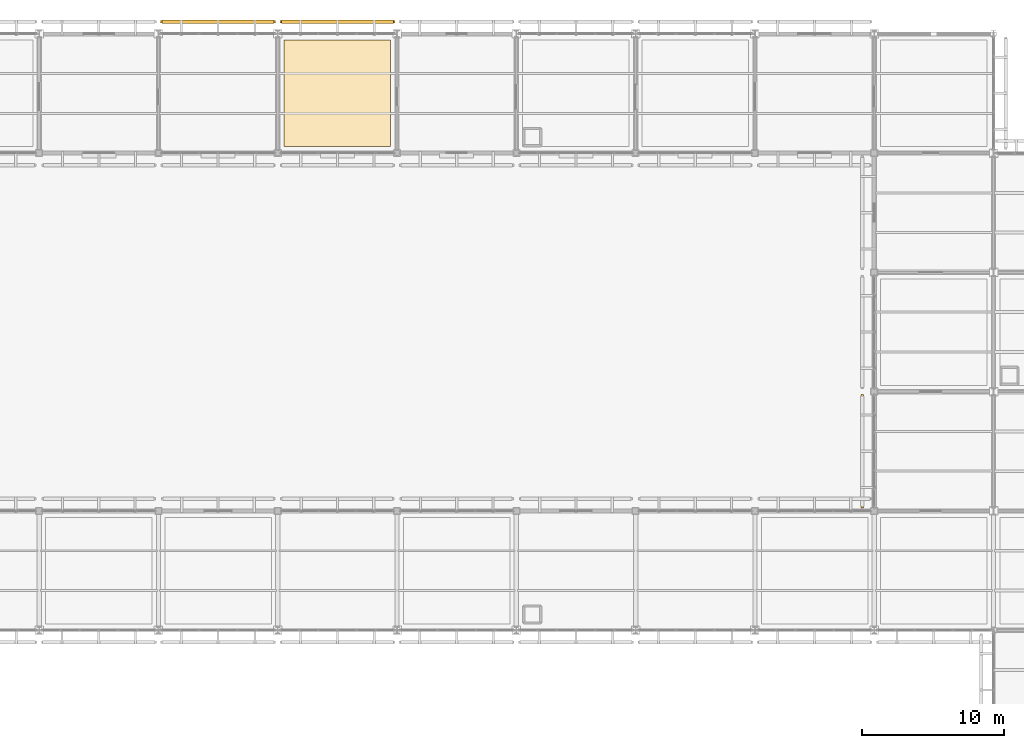
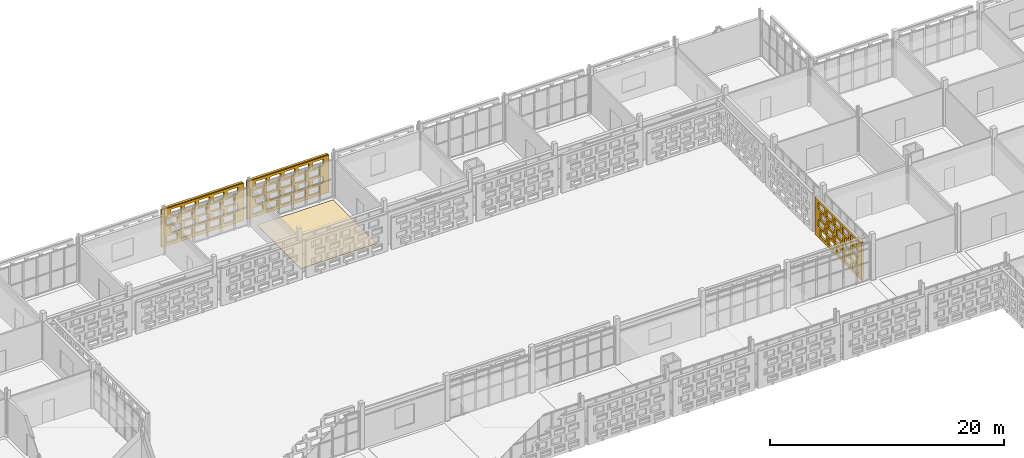
# One storey, part 177 of 203: 4 coverings, 2 shading devices, 60 openings.
"""IFC4 building model written with IfcOpenShell, lengths in metres."""

from ifc_helpers import new_model, si_unit, direction, frame, frame_2d, origin, origin_2d, place, context, subcontext, project, spatial, rectangle, extrude, material, layer, layer_set, type_object, element, save


model = new_model("IFC4")

# Units and contexts
model_context = context("Model", 3, precision=1e-05, world=origin(), true_north=direction((0.0, 1.0)))
body_context = subcontext(model_context, "Body", "Model", "MODEL_VIEW")
ifc_project = project(units=[si_unit("LENGTHUNIT", "METRE"), si_unit("AREAUNIT", "SQUARE_METRE"), si_unit("VOLUMEUNIT", "CUBIC_METRE"), si_unit("PLANEANGLEUNIT", "RADIAN"), si_unit("MASSUNIT", "GRAM", prefix="KILO")], contexts=[model_context])

# Site, building, storey
site_placement = place(None, origin())
site = spatial("IfcSite", under=ifc_project, at=site_placement, CompositionType="ELEMENT")
building_placement = place(site_placement, origin())
building = spatial("IfcBuilding", under=site, at=building_placement, Name="Varnapada Polytechnic", CompositionType="ELEMENT")
storey_placement = place(building_placement, frame((0.0, 0.0, 4.800048828125)))
storey = spatial("IfcBuildingStorey", under=building, at=storey_placement, Name="L01", CompositionType="ELEMENT", Elevation=4.800048828125)

# Covering
ifc_material_1 = material(Name="End-Grain Timber Studio Block Flooring", Category="wood")
ifc_layer_1 = layer(ifc_material_1, 0.054931640625)
ifc_layer_set_1 = layer_set([ifc_layer_1], Name="End-Grain Timber Studio Block Flooring")
covering_type_1 = type_object("IfcCoveringType", Name="Floor Finish FLR-04", PredefinedType="FLOORING", material=ifc_layer_set_1)
covering_1_placement = place(storey_placement, frame((88.199951171875, 121.800048828125, 0.0), z_axis=(0.0, 0.0, 1.0), x_axis=(1.0, 0.0, 0.0)))
element("IfcCovering", 1, at=covering_1_placement, inside=storey, type_object=covering_type_1, Name="L01 floor finish panel (11,15)", PredefinedType="FLOORING", context=body_context, shape_type="SweptSolid", body=[
    extrude(rectangle(XDim=7.5, YDim=7.5, at=origin_2d()), origin(), (0.0, 0.0, 1.0), 0.054931640625),
])

# Covering, openings
ifc_material_2 = material(Name="Earth-toned architectural terracotta screen block", Category="masonry")
ifc_layer_2 = layer(ifc_material_2, 0.1201171875)
ifc_layer_set_2 = layer_set([ifc_layer_2], Name="Earth-toned architectural terracotta screen block")
covering_type_2 = type_object("IfcCoveringType", Name="Terracotta Screen Cladding CLD-01", PredefinedType="CLADDING", material=ifc_layer_set_2)
covering_2_placement = place(storey_placement, frame((75.75, 126.85009765625, 0.0), z_axis=(0.0, 0.0, 1.0), x_axis=(1.0, 0.0, 0.0)))
covering_2 = element("IfcCovering", 2, at=covering_2_placement, inside=storey, type_object=covering_type_2, Name="L01 perforated terracotta block screen (71)", PredefinedType="CLADDING", context=body_context, shape_type="SweptSolid", body=[
    extrude(rectangle(XDim=8.10009765625, YDim=0.179931640625, at=frame_2d((4.050048828125, 0.0))), origin(), (0.0, 0.0, 1.0), 3.919921875),
])
opening_1_placement = place(covering_2_placement, frame((0.550048828125, 0.0, 0.313720703125)))
element("IfcOpeningElement", 3, at=opening_1_placement, cuts=covering_2, Name="Screen perforation TBS-L01-070.1", PredefinedType="OPENING", context=body_context, shape_type="SweptSolid", body=[
    extrude(rectangle(XDim=1.0400390625, YDim=0.679931640625, at=frame_2d((0.52001953125, 0.33984375))), frame((0.0, 0.099853515625, 0.0), z_axis=(0.0, -1.0, 0.0), x_axis=(1.0, 0.0, 0.0)), (0.0, 0.0, 1.0), 0.199951171875),
])
opening_2_placement = place(covering_2_placement, frame((1.949951171875, 0.0, 0.313720703125)))
element("IfcOpeningElement", 4, at=opening_2_placement, cuts=covering_2, Name="Screen perforation TBS-L01-070.2", PredefinedType="OPENING", context=body_context, shape_type="SweptSolid", body=[
    extrude(rectangle(XDim=1.0400390625, YDim=0.679931640625, at=frame_2d((0.52001953125, 0.33984375))), frame((0.0, 0.099853515625, 0.0), z_axis=(0.0, -1.0, 0.0), x_axis=(1.0, 0.0, 0.0)), (0.0, 0.0, 1.0), 0.199951171875),
])
opening_3_placement = place(covering_2_placement, frame((3.35009765625, 0.0, 0.313720703125)))
element("IfcOpeningElement", 5, at=opening_3_placement, cuts=covering_2, Name="Screen perforation TBS-L01-070.3", PredefinedType="OPENING", context=body_context, shape_type="SweptSolid", body=[
    extrude(rectangle(XDim=1.0400390625, YDim=0.679931640625, at=frame_2d((0.52001953125, 0.33984375))), frame((0.0, 0.099853515625, 0.0), z_axis=(0.0, -1.0, 0.0), x_axis=(1.0, 0.0, 0.0)), (0.0, 0.0, 1.0), 0.199951171875),
])
opening_4_placement = place(covering_2_placement, frame((4.75, 0.0, 0.313720703125)))
element("IfcOpeningElement", 6, at=opening_4_placement, cuts=covering_2, Name="Screen perforation TBS-L01-070.4", PredefinedType="OPENING", context=body_context, shape_type="SweptSolid", body=[
    extrude(rectangle(XDim=1.0400390625, YDim=0.679931640625, at=frame_2d((0.52001953125, 0.33984375))), frame((0.0, 0.099853515625, 0.0), z_axis=(0.0, -1.0, 0.0), x_axis=(1.0, 0.0, 0.0)), (0.0, 0.0, 1.0), 0.199951171875),
])
opening_5_placement = place(covering_2_placement, frame((6.14990234375, 0.0, 0.313720703125)))
element("IfcOpeningElement", 7, at=opening_5_placement, cuts=covering_2, Name="Screen perforation TBS-L01-070.5", PredefinedType="OPENING", context=body_context, shape_type="SweptSolid", body=[
    extrude(rectangle(XDim=1.0400390625, YDim=0.679931640625, at=frame_2d((0.52001953125, 0.33984375))), frame((0.0, 0.099853515625, 0.0), z_axis=(0.0, -1.0, 0.0), x_axis=(1.0, 0.0, 0.0)), (0.0, 0.0, 1.0), 0.199951171875),
])
opening_6_placement = place(covering_2_placement, frame((0.909912109375, 0.0, 1.195556640625)))
element("IfcOpeningElement", 8, at=opening_6_placement, cuts=covering_2, Name="Screen perforation TBS-L01-070.6", PredefinedType="OPENING", context=body_context, shape_type="SweptSolid", body=[
    extrude(rectangle(XDim=1.0400390625, YDim=0.679931640625, at=frame_2d((0.52001953125, 0.33984375))), frame((0.0, 0.099853515625, 0.0), z_axis=(0.0, -1.0, 0.0), x_axis=(1.0, 0.0, 0.0)), (0.0, 0.0, 1.0), 0.199951171875),
])
opening_7_placement = place(covering_2_placement, frame((2.31005859375, 0.0, 1.195556640625)))
element("IfcOpeningElement", 9, at=opening_7_placement, cuts=covering_2, Name="Screen perforation TBS-L01-070.7", PredefinedType="OPENING", context=body_context, shape_type="SweptSolid", body=[
    extrude(rectangle(XDim=1.0400390625, YDim=0.679931640625, at=frame_2d((0.52001953125, 0.33984375))), frame((0.0, 0.099853515625, 0.0), z_axis=(0.0, -1.0, 0.0), x_axis=(1.0, 0.0, 0.0)), (0.0, 0.0, 1.0), 0.199951171875),
])
opening_8_placement = place(covering_2_placement, frame((3.7099609375, 0.0, 1.195556640625)))
element("IfcOpeningElement", 10, at=opening_8_placement, cuts=covering_2, Name="Screen perforation TBS-L01-070.8", PredefinedType="OPENING", context=body_context, shape_type="SweptSolid", body=[
    extrude(rectangle(XDim=1.0400390625, YDim=0.679931640625, at=frame_2d((0.52001953125, 0.33984375))), frame((0.0, 0.099853515625, 0.0), z_axis=(0.0, -1.0, 0.0), x_axis=(1.0, 0.0, 0.0)), (0.0, 0.0, 1.0), 0.199951171875),
])
opening_9_placement = place(covering_2_placement, frame((5.110107421875, 0.0, 1.195556640625)))
element("IfcOpeningElement", 11, at=opening_9_placement, cuts=covering_2, Name="Screen perforation TBS-L01-070.9", PredefinedType="OPENING", context=body_context, shape_type="SweptSolid", body=[
    extrude(rectangle(XDim=1.0400390625, YDim=0.679931640625, at=frame_2d((0.52001953125, 0.33984375))), frame((0.0, 0.099853515625, 0.0), z_axis=(0.0, -1.0, 0.0), x_axis=(1.0, 0.0, 0.0)), (0.0, 0.0, 1.0), 0.199951171875),
])
opening_10_placement = place(covering_2_placement, frame((6.510009765625, 0.0, 1.195556640625)))
element("IfcOpeningElement", 12, at=opening_10_placement, cuts=covering_2, Name="Screen perforation TBS-L01-070.10", PredefinedType="OPENING", context=body_context, shape_type="SweptSolid", body=[
    extrude(rectangle(XDim=1.0400390625, YDim=0.679931640625, at=frame_2d((0.52001953125, 0.33984375))), frame((0.0, 0.099853515625, 0.0), z_axis=(0.0, -1.0, 0.0), x_axis=(1.0, 0.0, 0.0)), (0.0, 0.0, 1.0), 0.199951171875),
])
opening_11_placement = place(covering_2_placement, frame((0.550048828125, 0.0, 2.07763671875)))
element("IfcOpeningElement", 13, at=opening_11_placement, cuts=covering_2, Name="Screen perforation TBS-L01-070.11", PredefinedType="OPENING", context=body_context, shape_type="SweptSolid", body=[
    extrude(rectangle(XDim=1.0400390625, YDim=0.679931640625, at=frame_2d((0.52001953125, 0.33984375))), frame((0.0, 0.099853515625, 0.0), z_axis=(0.0, -1.0, 0.0), x_axis=(1.0, 0.0, 0.0)), (0.0, 0.0, 1.0), 0.199951171875),
])
opening_12_placement = place(covering_2_placement, frame((1.949951171875, 0.0, 2.07763671875)))
element("IfcOpeningElement", 14, at=opening_12_placement, cuts=covering_2, Name="Screen perforation TBS-L01-070.12", PredefinedType="OPENING", context=body_context, shape_type="SweptSolid", body=[
    extrude(rectangle(XDim=1.0400390625, YDim=0.679931640625, at=frame_2d((0.52001953125, 0.33984375))), frame((0.0, 0.099853515625, 0.0), z_axis=(0.0, -1.0, 0.0), x_axis=(1.0, 0.0, 0.0)), (0.0, 0.0, 1.0), 0.199951171875),
])
opening_13_placement = place(covering_2_placement, frame((3.35009765625, 0.0, 2.07763671875)))
element("IfcOpeningElement", 15, at=opening_13_placement, cuts=covering_2, Name="Screen perforation TBS-L01-070.13", PredefinedType="OPENING", context=body_context, shape_type="SweptSolid", body=[
    extrude(rectangle(XDim=1.0400390625, YDim=0.679931640625, at=frame_2d((0.52001953125, 0.33984375))), frame((0.0, 0.099853515625, 0.0), z_axis=(0.0, -1.0, 0.0), x_axis=(1.0, 0.0, 0.0)), (0.0, 0.0, 1.0), 0.199951171875),
])
opening_14_placement = place(covering_2_placement, frame((4.75, 0.0, 2.07763671875)))
element("IfcOpeningElement", 16, at=opening_14_placement, cuts=covering_2, Name="Screen perforation TBS-L01-070.14", PredefinedType="OPENING", context=body_context, shape_type="SweptSolid", body=[
    extrude(rectangle(XDim=1.0400390625, YDim=0.679931640625, at=frame_2d((0.52001953125, 0.33984375))), frame((0.0, 0.099853515625, 0.0), z_axis=(0.0, -1.0, 0.0), x_axis=(1.0, 0.0, 0.0)), (0.0, 0.0, 1.0), 0.199951171875),
])
opening_15_placement = place(covering_2_placement, frame((6.14990234375, 0.0, 2.07763671875)))
element("IfcOpeningElement", 17, at=opening_15_placement, cuts=covering_2, Name="Screen perforation TBS-L01-070.15", PredefinedType="OPENING", context=body_context, shape_type="SweptSolid", body=[
    extrude(rectangle(XDim=1.0400390625, YDim=0.679931640625, at=frame_2d((0.52001953125, 0.33984375))), frame((0.0, 0.099853515625, 0.0), z_axis=(0.0, -1.0, 0.0), x_axis=(1.0, 0.0, 0.0)), (0.0, 0.0, 1.0), 0.199951171875),
])
opening_16_placement = place(covering_2_placement, frame((0.909912109375, 0.0, 2.959716796875)))
element("IfcOpeningElement", 18, at=opening_16_placement, cuts=covering_2, Name="Screen perforation TBS-L01-070.16", PredefinedType="OPENING", context=body_context, shape_type="SweptSolid", body=[
    extrude(rectangle(XDim=1.0400390625, YDim=0.679931640625, at=frame_2d((0.52001953125, 0.33984375))), frame((0.0, 0.099853515625, 0.0), z_axis=(0.0, -1.0, 0.0), x_axis=(1.0, 0.0, 0.0)), (0.0, 0.0, 1.0), 0.199951171875),
])
opening_17_placement = place(covering_2_placement, frame((2.31005859375, 0.0, 2.959716796875)))
element("IfcOpeningElement", 19, at=opening_17_placement, cuts=covering_2, Name="Screen perforation TBS-L01-070.17", PredefinedType="OPENING", context=body_context, shape_type="SweptSolid", body=[
    extrude(rectangle(XDim=1.0400390625, YDim=0.679931640625, at=frame_2d((0.52001953125, 0.33984375))), frame((0.0, 0.099853515625, 0.0), z_axis=(0.0, -1.0, 0.0), x_axis=(1.0, 0.0, 0.0)), (0.0, 0.0, 1.0), 0.199951171875),
])
opening_18_placement = place(covering_2_placement, frame((3.7099609375, 0.0, 2.959716796875)))
element("IfcOpeningElement", 20, at=opening_18_placement, cuts=covering_2, Name="Screen perforation TBS-L01-070.18", PredefinedType="OPENING", context=body_context, shape_type="SweptSolid", body=[
    extrude(rectangle(XDim=1.0400390625, YDim=0.679931640625, at=frame_2d((0.52001953125, 0.33984375))), frame((0.0, 0.099853515625, 0.0), z_axis=(0.0, -1.0, 0.0), x_axis=(1.0, 0.0, 0.0)), (0.0, 0.0, 1.0), 0.199951171875),
])
opening_19_placement = place(covering_2_placement, frame((5.110107421875, 0.0, 2.959716796875)))
element("IfcOpeningElement", 21, at=opening_19_placement, cuts=covering_2, Name="Screen perforation TBS-L01-070.19", PredefinedType="OPENING", context=body_context, shape_type="SweptSolid", body=[
    extrude(rectangle(XDim=1.0400390625, YDim=0.679931640625, at=frame_2d((0.52001953125, 0.33984375))), frame((0.0, 0.099853515625, 0.0), z_axis=(0.0, -1.0, 0.0), x_axis=(1.0, 0.0, 0.0)), (0.0, 0.0, 1.0), 0.199951171875),
])
opening_20_placement = place(covering_2_placement, frame((6.510009765625, 0.0, 2.959716796875)))
element("IfcOpeningElement", 22, at=opening_20_placement, cuts=covering_2, Name="Screen perforation TBS-L01-070.20", PredefinedType="OPENING", context=body_context, shape_type="SweptSolid", body=[
    extrude(rectangle(XDim=1.0400390625, YDim=0.679931640625, at=frame_2d((0.52001953125, 0.33984375))), frame((0.0, 0.099853515625, 0.0), z_axis=(0.0, -1.0, 0.0), x_axis=(1.0, 0.0, 0.0)), (0.0, 0.0, 1.0), 0.199951171875),
])

covering_3_placement = place(storey_placement, frame((84.14990234375, 126.85009765625, 0.0), z_axis=(0.0, 0.0, 1.0), x_axis=(1.0, 0.0, 0.0)))
covering_3 = element("IfcCovering", 23, at=covering_3_placement, inside=storey, type_object=covering_type_2, Name="L01 perforated terracotta block screen (77)", PredefinedType="CLADDING", context=body_context, shape_type="SweptSolid", body=[
    extrude(rectangle(XDim=8.10009765625, YDim=0.179931640625, at=frame_2d((4.050048828125, 0.0))), origin(), (0.0, 0.0, 1.0), 3.919921875),
])
opening_21_placement = place(covering_3_placement, frame((0.550048828125, 0.0, 0.313720703125)))
element("IfcOpeningElement", 24, at=opening_21_placement, cuts=covering_3, Name="Screen perforation TBS-L01-076.1", PredefinedType="OPENING", context=body_context, shape_type="SweptSolid", body=[
    extrude(rectangle(XDim=1.0400390625, YDim=0.679931640625, at=frame_2d((0.52001953125, 0.33984375))), frame((0.0, 0.099853515625, 0.0), z_axis=(0.0, -1.0, 0.0), x_axis=(1.0, 0.0, 0.0)), (0.0, 0.0, 1.0), 0.199951171875),
])
opening_22_placement = place(covering_3_placement, frame((1.949951171875, 0.0, 0.313720703125)))
element("IfcOpeningElement", 25, at=opening_22_placement, cuts=covering_3, Name="Screen perforation TBS-L01-076.2", PredefinedType="OPENING", context=body_context, shape_type="SweptSolid", body=[
    extrude(rectangle(XDim=1.0400390625, YDim=0.679931640625, at=frame_2d((0.52001953125, 0.33984375))), frame((0.0, 0.099853515625, 0.0), z_axis=(0.0, -1.0, 0.0), x_axis=(1.0, 0.0, 0.0)), (0.0, 0.0, 1.0), 0.199951171875),
])
opening_23_placement = place(covering_3_placement, frame((3.35009765625, 0.0, 0.313720703125)))
element("IfcOpeningElement", 26, at=opening_23_placement, cuts=covering_3, Name="Screen perforation TBS-L01-076.3", PredefinedType="OPENING", context=body_context, shape_type="SweptSolid", body=[
    extrude(rectangle(XDim=1.0400390625, YDim=0.679931640625, at=frame_2d((0.52001953125, 0.33984375))), frame((0.0, 0.099853515625, 0.0), z_axis=(0.0, -1.0, 0.0), x_axis=(1.0, 0.0, 0.0)), (0.0, 0.0, 1.0), 0.199951171875),
])
opening_24_placement = place(covering_3_placement, frame((4.75, 0.0, 0.313720703125)))
element("IfcOpeningElement", 27, at=opening_24_placement, cuts=covering_3, Name="Screen perforation TBS-L01-076.4", PredefinedType="OPENING", context=body_context, shape_type="SweptSolid", body=[
    extrude(rectangle(XDim=1.0400390625, YDim=0.679931640625, at=frame_2d((0.52001953125, 0.33984375))), frame((0.0, 0.099853515625, 0.0), z_axis=(0.0, -1.0, 0.0), x_axis=(1.0, 0.0, 0.0)), (0.0, 0.0, 1.0), 0.199951171875),
])
opening_25_placement = place(covering_3_placement, frame((6.14990234375, 0.0, 0.313720703125)))
element("IfcOpeningElement", 28, at=opening_25_placement, cuts=covering_3, Name="Screen perforation TBS-L01-076.5", PredefinedType="OPENING", context=body_context, shape_type="SweptSolid", body=[
    extrude(rectangle(XDim=1.0400390625, YDim=0.679931640625, at=frame_2d((0.52001953125, 0.33984375))), frame((0.0, 0.099853515625, 0.0), z_axis=(0.0, -1.0, 0.0), x_axis=(1.0, 0.0, 0.0)), (0.0, 0.0, 1.0), 0.199951171875),
])
opening_26_placement = place(covering_3_placement, frame((0.909912109375, 0.0, 1.195556640625)))
element("IfcOpeningElement", 29, at=opening_26_placement, cuts=covering_3, Name="Screen perforation TBS-L01-076.6", PredefinedType="OPENING", context=body_context, shape_type="SweptSolid", body=[
    extrude(rectangle(XDim=1.0400390625, YDim=0.679931640625, at=frame_2d((0.52001953125, 0.33984375))), frame((0.0, 0.099853515625, 0.0), z_axis=(0.0, -1.0, 0.0), x_axis=(1.0, 0.0, 0.0)), (0.0, 0.0, 1.0), 0.199951171875),
])
opening_27_placement = place(covering_3_placement, frame((2.31005859375, 0.0, 1.195556640625)))
element("IfcOpeningElement", 30, at=opening_27_placement, cuts=covering_3, Name="Screen perforation TBS-L01-076.7", PredefinedType="OPENING", context=body_context, shape_type="SweptSolid", body=[
    extrude(rectangle(XDim=1.0400390625, YDim=0.679931640625, at=frame_2d((0.52001953125, 0.33984375))), frame((0.0, 0.099853515625, 0.0), z_axis=(0.0, -1.0, 0.0), x_axis=(1.0, 0.0, 0.0)), (0.0, 0.0, 1.0), 0.199951171875),
])
opening_28_placement = place(covering_3_placement, frame((3.7099609375, 0.0, 1.195556640625)))
element("IfcOpeningElement", 31, at=opening_28_placement, cuts=covering_3, Name="Screen perforation TBS-L01-076.8", PredefinedType="OPENING", context=body_context, shape_type="SweptSolid", body=[
    extrude(rectangle(XDim=1.0400390625, YDim=0.679931640625, at=frame_2d((0.52001953125, 0.33984375))), frame((0.0, 0.099853515625, 0.0), z_axis=(0.0, -1.0, 0.0), x_axis=(1.0, 0.0, 0.0)), (0.0, 0.0, 1.0), 0.199951171875),
])
opening_29_placement = place(covering_3_placement, frame((5.110107421875, 0.0, 1.195556640625)))
element("IfcOpeningElement", 32, at=opening_29_placement, cuts=covering_3, Name="Screen perforation TBS-L01-076.9", PredefinedType="OPENING", context=body_context, shape_type="SweptSolid", body=[
    extrude(rectangle(XDim=1.0400390625, YDim=0.679931640625, at=frame_2d((0.52001953125, 0.33984375))), frame((0.0, 0.099853515625, 0.0), z_axis=(0.0, -1.0, 0.0), x_axis=(1.0, 0.0, 0.0)), (0.0, 0.0, 1.0), 0.199951171875),
])
opening_30_placement = place(covering_3_placement, frame((6.510009765625, 0.0, 1.195556640625)))
element("IfcOpeningElement", 33, at=opening_30_placement, cuts=covering_3, Name="Screen perforation TBS-L01-076.10", PredefinedType="OPENING", context=body_context, shape_type="SweptSolid", body=[
    extrude(rectangle(XDim=1.0400390625, YDim=0.679931640625, at=frame_2d((0.52001953125, 0.33984375))), frame((0.0, 0.099853515625, 0.0), z_axis=(0.0, -1.0, 0.0), x_axis=(1.0, 0.0, 0.0)), (0.0, 0.0, 1.0), 0.199951171875),
])
opening_31_placement = place(covering_3_placement, frame((0.550048828125, 0.0, 2.07763671875)))
element("IfcOpeningElement", 34, at=opening_31_placement, cuts=covering_3, Name="Screen perforation TBS-L01-076.11", PredefinedType="OPENING", context=body_context, shape_type="SweptSolid", body=[
    extrude(rectangle(XDim=1.0400390625, YDim=0.679931640625, at=frame_2d((0.52001953125, 0.33984375))), frame((0.0, 0.099853515625, 0.0), z_axis=(0.0, -1.0, 0.0), x_axis=(1.0, 0.0, 0.0)), (0.0, 0.0, 1.0), 0.199951171875),
])
opening_32_placement = place(covering_3_placement, frame((1.949951171875, 0.0, 2.07763671875)))
element("IfcOpeningElement", 35, at=opening_32_placement, cuts=covering_3, Name="Screen perforation TBS-L01-076.12", PredefinedType="OPENING", context=body_context, shape_type="SweptSolid", body=[
    extrude(rectangle(XDim=1.0400390625, YDim=0.679931640625, at=frame_2d((0.52001953125, 0.33984375))), frame((0.0, 0.099853515625, 0.0), z_axis=(0.0, -1.0, 0.0), x_axis=(1.0, 0.0, 0.0)), (0.0, 0.0, 1.0), 0.199951171875),
])
opening_33_placement = place(covering_3_placement, frame((3.35009765625, 0.0, 2.07763671875)))
element("IfcOpeningElement", 36, at=opening_33_placement, cuts=covering_3, Name="Screen perforation TBS-L01-076.13", PredefinedType="OPENING", context=body_context, shape_type="SweptSolid", body=[
    extrude(rectangle(XDim=1.0400390625, YDim=0.679931640625, at=frame_2d((0.52001953125, 0.33984375))), frame((0.0, 0.099853515625, 0.0), z_axis=(0.0, -1.0, 0.0), x_axis=(1.0, 0.0, 0.0)), (0.0, 0.0, 1.0), 0.199951171875),
])
opening_34_placement = place(covering_3_placement, frame((4.75, 0.0, 2.07763671875)))
element("IfcOpeningElement", 37, at=opening_34_placement, cuts=covering_3, Name="Screen perforation TBS-L01-076.14", PredefinedType="OPENING", context=body_context, shape_type="SweptSolid", body=[
    extrude(rectangle(XDim=1.0400390625, YDim=0.679931640625, at=frame_2d((0.52001953125, 0.33984375))), frame((0.0, 0.099853515625, 0.0), z_axis=(0.0, -1.0, 0.0), x_axis=(1.0, 0.0, 0.0)), (0.0, 0.0, 1.0), 0.199951171875),
])
opening_35_placement = place(covering_3_placement, frame((6.14990234375, 0.0, 2.07763671875)))
element("IfcOpeningElement", 38, at=opening_35_placement, cuts=covering_3, Name="Screen perforation TBS-L01-076.15", PredefinedType="OPENING", context=body_context, shape_type="SweptSolid", body=[
    extrude(rectangle(XDim=1.0400390625, YDim=0.679931640625, at=frame_2d((0.52001953125, 0.33984375))), frame((0.0, 0.099853515625, 0.0), z_axis=(0.0, -1.0, 0.0), x_axis=(1.0, 0.0, 0.0)), (0.0, 0.0, 1.0), 0.199951171875),
])
opening_36_placement = place(covering_3_placement, frame((0.909912109375, 0.0, 2.959716796875)))
element("IfcOpeningElement", 39, at=opening_36_placement, cuts=covering_3, Name="Screen perforation TBS-L01-076.16", PredefinedType="OPENING", context=body_context, shape_type="SweptSolid", body=[
    extrude(rectangle(XDim=1.0400390625, YDim=0.679931640625, at=frame_2d((0.52001953125, 0.33984375))), frame((0.0, 0.099853515625, 0.0), z_axis=(0.0, -1.0, 0.0), x_axis=(1.0, 0.0, 0.0)), (0.0, 0.0, 1.0), 0.199951171875),
])
opening_37_placement = place(covering_3_placement, frame((2.31005859375, 0.0, 2.959716796875)))
element("IfcOpeningElement", 40, at=opening_37_placement, cuts=covering_3, Name="Screen perforation TBS-L01-076.17", PredefinedType="OPENING", context=body_context, shape_type="SweptSolid", body=[
    extrude(rectangle(XDim=1.0400390625, YDim=0.679931640625, at=frame_2d((0.52001953125, 0.33984375))), frame((0.0, 0.099853515625, 0.0), z_axis=(0.0, -1.0, 0.0), x_axis=(1.0, 0.0, 0.0)), (0.0, 0.0, 1.0), 0.199951171875),
])
opening_38_placement = place(covering_3_placement, frame((3.7099609375, 0.0, 2.959716796875)))
element("IfcOpeningElement", 41, at=opening_38_placement, cuts=covering_3, Name="Screen perforation TBS-L01-076.18", PredefinedType="OPENING", context=body_context, shape_type="SweptSolid", body=[
    extrude(rectangle(XDim=1.0400390625, YDim=0.679931640625, at=frame_2d((0.52001953125, 0.33984375))), frame((0.0, 0.099853515625, 0.0), z_axis=(0.0, -1.0, 0.0), x_axis=(1.0, 0.0, 0.0)), (0.0, 0.0, 1.0), 0.199951171875),
])
opening_39_placement = place(covering_3_placement, frame((5.110107421875, 0.0, 2.959716796875)))
element("IfcOpeningElement", 42, at=opening_39_placement, cuts=covering_3, Name="Screen perforation TBS-L01-076.19", PredefinedType="OPENING", context=body_context, shape_type="SweptSolid", body=[
    extrude(rectangle(XDim=1.0400390625, YDim=0.679931640625, at=frame_2d((0.52001953125, 0.33984375))), frame((0.0, 0.099853515625, 0.0), z_axis=(0.0, -1.0, 0.0), x_axis=(1.0, 0.0, 0.0)), (0.0, 0.0, 1.0), 0.199951171875),
])
opening_40_placement = place(covering_3_placement, frame((6.510009765625, 0.0, 2.959716796875)))
element("IfcOpeningElement", 43, at=opening_40_placement, cuts=covering_3, Name="Screen perforation TBS-L01-076.20", PredefinedType="OPENING", context=body_context, shape_type="SweptSolid", body=[
    extrude(rectangle(XDim=1.0400390625, YDim=0.679931640625, at=frame_2d((0.52001953125, 0.33984375))), frame((0.0, 0.099853515625, 0.0), z_axis=(0.0, -1.0, 0.0), x_axis=(1.0, 0.0, 0.0)), (0.0, 0.0, 1.0), 0.199951171875),
])

covering_4_placement = place(storey_placement, frame((125.14990234375, 92.610107421875, 0.0), z_axis=(0.0, 0.0, 1.0), x_axis=(0.0, 1.0, 0.0)))
covering_4 = element("IfcCovering", 44, at=covering_4_placement, inside=storey, type_object=covering_type_2, Name="L01 perforated terracotta block screen (108)", PredefinedType="CLADDING", context=body_context, shape_type="SweptSolid", body=[
    extrude(rectangle(XDim=7.97998046875, YDim=0.179931640625, at=frame_2d((3.989990234375, 0.0))), origin(), (0.0, 0.0, 1.0), 3.919921875),
])
opening_41_placement = place(covering_4_placement, frame((0.489990234375, 0.0, 0.313720703125)))
element("IfcOpeningElement", 45, at=opening_41_placement, cuts=covering_4, Name="Screen perforation TBS-L01-107.1", PredefinedType="OPENING", context=body_context, shape_type="SweptSolid", body=[
    extrude(rectangle(XDim=1.0400390625, YDim=0.679931640625, at=frame_2d((0.52001953125, 0.33984375))), frame((0.0, 0.099853515625, 0.0), z_axis=(0.0, -1.0, 0.0), x_axis=(1.0, 0.0, 0.0)), (0.0, 0.0, 1.0), 0.199951171875),
])
opening_42_placement = place(covering_4_placement, frame((1.889892578125, 0.0, 0.313720703125)))
element("IfcOpeningElement", 46, at=opening_42_placement, cuts=covering_4, Name="Screen perforation TBS-L01-107.2", PredefinedType="OPENING", context=body_context, shape_type="SweptSolid", body=[
    extrude(rectangle(XDim=1.0400390625, YDim=0.679931640625, at=frame_2d((0.52001953125, 0.33984375))), frame((0.0, 0.099853515625, 0.0), z_axis=(0.0, -1.0, 0.0), x_axis=(1.0, 0.0, 0.0)), (0.0, 0.0, 1.0), 0.199951171875),
])
opening_43_placement = place(covering_4_placement, frame((3.2900390625, 0.0, 0.313720703125)))
element("IfcOpeningElement", 47, at=opening_43_placement, cuts=covering_4, Name="Screen perforation TBS-L01-107.3", PredefinedType="OPENING", context=body_context, shape_type="SweptSolid", body=[
    extrude(rectangle(XDim=1.0400390625, YDim=0.679931640625, at=frame_2d((0.52001953125, 0.33984375))), frame((0.0, 0.099853515625, 0.0), z_axis=(0.0, -1.0, 0.0), x_axis=(1.0, 0.0, 0.0)), (0.0, 0.0, 1.0), 0.199951171875),
])
opening_44_placement = place(covering_4_placement, frame((4.68994140625, 0.0, 0.313720703125)))
element("IfcOpeningElement", 48, at=opening_44_placement, cuts=covering_4, Name="Screen perforation TBS-L01-107.4", PredefinedType="OPENING", context=body_context, shape_type="SweptSolid", body=[
    extrude(rectangle(XDim=1.0400390625, YDim=0.679931640625, at=frame_2d((0.52001953125, 0.33984375))), frame((0.0, 0.099853515625, 0.0), z_axis=(0.0, -1.0, 0.0), x_axis=(1.0, 0.0, 0.0)), (0.0, 0.0, 1.0), 0.199951171875),
])
opening_45_placement = place(covering_4_placement, frame((6.090087890625, 0.0, 0.313720703125)))
element("IfcOpeningElement", 49, at=opening_45_placement, cuts=covering_4, Name="Screen perforation TBS-L01-107.5", PredefinedType="OPENING", context=body_context, shape_type="SweptSolid", body=[
    extrude(rectangle(XDim=1.0400390625, YDim=0.679931640625, at=frame_2d((0.52001953125, 0.33984375))), frame((0.0, 0.099853515625, 0.0), z_axis=(0.0, -1.0, 0.0), x_axis=(1.0, 0.0, 0.0)), (0.0, 0.0, 1.0), 0.199951171875),
])
opening_46_placement = place(covering_4_placement, frame((0.85009765625, 0.0, 1.195556640625)))
element("IfcOpeningElement", 50, at=opening_46_placement, cuts=covering_4, Name="Screen perforation TBS-L01-107.6", PredefinedType="OPENING", context=body_context, shape_type="SweptSolid", body=[
    extrude(rectangle(XDim=1.0400390625, YDim=0.679931640625, at=frame_2d((0.52001953125, 0.33984375))), frame((0.0, 0.099853515625, 0.0), z_axis=(0.0, -1.0, 0.0), x_axis=(1.0, 0.0, 0.0)), (0.0, 0.0, 1.0), 0.199951171875),
])
opening_47_placement = place(covering_4_placement, frame((2.25, 0.0, 1.195556640625)))
element("IfcOpeningElement", 51, at=opening_47_placement, cuts=covering_4, Name="Screen perforation TBS-L01-107.7", PredefinedType="OPENING", context=body_context, shape_type="SweptSolid", body=[
    extrude(rectangle(XDim=1.0400390625, YDim=0.679931640625, at=frame_2d((0.52001953125, 0.33984375))), frame((0.0, 0.099853515625, 0.0), z_axis=(0.0, -1.0, 0.0), x_axis=(1.0, 0.0, 0.0)), (0.0, 0.0, 1.0), 0.199951171875),
])
opening_48_placement = place(covering_4_placement, frame((3.64990234375, 0.0, 1.195556640625)))
element("IfcOpeningElement", 52, at=opening_48_placement, cuts=covering_4, Name="Screen perforation TBS-L01-107.8", PredefinedType="OPENING", context=body_context, shape_type="SweptSolid", body=[
    extrude(rectangle(XDim=1.0400390625, YDim=0.679931640625, at=frame_2d((0.52001953125, 0.33984375))), frame((0.0, 0.099853515625, 0.0), z_axis=(0.0, -1.0, 0.0), x_axis=(1.0, 0.0, 0.0)), (0.0, 0.0, 1.0), 0.199951171875),
])
opening_49_placement = place(covering_4_placement, frame((5.050048828125, 0.0, 1.195556640625)))
element("IfcOpeningElement", 53, at=opening_49_placement, cuts=covering_4, Name="Screen perforation TBS-L01-107.9", PredefinedType="OPENING", context=body_context, shape_type="SweptSolid", body=[
    extrude(rectangle(XDim=1.0400390625, YDim=0.679931640625, at=frame_2d((0.52001953125, 0.33984375))), frame((0.0, 0.099853515625, 0.0), z_axis=(0.0, -1.0, 0.0), x_axis=(1.0, 0.0, 0.0)), (0.0, 0.0, 1.0), 0.199951171875),
])
opening_50_placement = place(covering_4_placement, frame((6.449951171875, 0.0, 1.195556640625)))
element("IfcOpeningElement", 54, at=opening_50_placement, cuts=covering_4, Name="Screen perforation TBS-L01-107.10", PredefinedType="OPENING", context=body_context, shape_type="SweptSolid", body=[
    extrude(rectangle(XDim=1.0400390625, YDim=0.679931640625, at=frame_2d((0.52001953125, 0.33984375))), frame((0.0, 0.099853515625, 0.0), z_axis=(0.0, -1.0, 0.0), x_axis=(1.0, 0.0, 0.0)), (0.0, 0.0, 1.0), 0.199951171875),
])
opening_51_placement = place(covering_4_placement, frame((0.489990234375, 0.0, 2.07763671875)))
element("IfcOpeningElement", 55, at=opening_51_placement, cuts=covering_4, Name="Screen perforation TBS-L01-107.11", PredefinedType="OPENING", context=body_context, shape_type="SweptSolid", body=[
    extrude(rectangle(XDim=1.0400390625, YDim=0.679931640625, at=frame_2d((0.52001953125, 0.33984375))), frame((0.0, 0.099853515625, 0.0), z_axis=(0.0, -1.0, 0.0), x_axis=(1.0, 0.0, 0.0)), (0.0, 0.0, 1.0), 0.199951171875),
])
opening_52_placement = place(covering_4_placement, frame((1.889892578125, 0.0, 2.07763671875)))
element("IfcOpeningElement", 56, at=opening_52_placement, cuts=covering_4, Name="Screen perforation TBS-L01-107.12", PredefinedType="OPENING", context=body_context, shape_type="SweptSolid", body=[
    extrude(rectangle(XDim=1.0400390625, YDim=0.679931640625, at=frame_2d((0.52001953125, 0.33984375))), frame((0.0, 0.099853515625, 0.0), z_axis=(0.0, -1.0, 0.0), x_axis=(1.0, 0.0, 0.0)), (0.0, 0.0, 1.0), 0.199951171875),
])
opening_53_placement = place(covering_4_placement, frame((3.2900390625, 0.0, 2.07763671875)))
element("IfcOpeningElement", 57, at=opening_53_placement, cuts=covering_4, Name="Screen perforation TBS-L01-107.13", PredefinedType="OPENING", context=body_context, shape_type="SweptSolid", body=[
    extrude(rectangle(XDim=1.0400390625, YDim=0.679931640625, at=frame_2d((0.52001953125, 0.33984375))), frame((0.0, 0.099853515625, 0.0), z_axis=(0.0, -1.0, 0.0), x_axis=(1.0, 0.0, 0.0)), (0.0, 0.0, 1.0), 0.199951171875),
])
opening_54_placement = place(covering_4_placement, frame((4.68994140625, 0.0, 2.07763671875)))
element("IfcOpeningElement", 58, at=opening_54_placement, cuts=covering_4, Name="Screen perforation TBS-L01-107.14", PredefinedType="OPENING", context=body_context, shape_type="SweptSolid", body=[
    extrude(rectangle(XDim=1.0400390625, YDim=0.679931640625, at=frame_2d((0.52001953125, 0.33984375))), frame((0.0, 0.099853515625, 0.0), z_axis=(0.0, -1.0, 0.0), x_axis=(1.0, 0.0, 0.0)), (0.0, 0.0, 1.0), 0.199951171875),
])
opening_55_placement = place(covering_4_placement, frame((6.090087890625, 0.0, 2.07763671875)))
element("IfcOpeningElement", 59, at=opening_55_placement, cuts=covering_4, Name="Screen perforation TBS-L01-107.15", PredefinedType="OPENING", context=body_context, shape_type="SweptSolid", body=[
    extrude(rectangle(XDim=1.0400390625, YDim=0.679931640625, at=frame_2d((0.52001953125, 0.33984375))), frame((0.0, 0.099853515625, 0.0), z_axis=(0.0, -1.0, 0.0), x_axis=(1.0, 0.0, 0.0)), (0.0, 0.0, 1.0), 0.199951171875),
])
opening_56_placement = place(covering_4_placement, frame((0.85009765625, 0.0, 2.959716796875)))
element("IfcOpeningElement", 60, at=opening_56_placement, cuts=covering_4, Name="Screen perforation TBS-L01-107.16", PredefinedType="OPENING", context=body_context, shape_type="SweptSolid", body=[
    extrude(rectangle(XDim=1.0400390625, YDim=0.679931640625, at=frame_2d((0.52001953125, 0.33984375))), frame((0.0, 0.099853515625, 0.0), z_axis=(0.0, -1.0, 0.0), x_axis=(1.0, 0.0, 0.0)), (0.0, 0.0, 1.0), 0.199951171875),
])
opening_57_placement = place(covering_4_placement, frame((2.25, 0.0, 2.959716796875)))
element("IfcOpeningElement", 61, at=opening_57_placement, cuts=covering_4, Name="Screen perforation TBS-L01-107.17", PredefinedType="OPENING", context=body_context, shape_type="SweptSolid", body=[
    extrude(rectangle(XDim=1.0400390625, YDim=0.679931640625, at=frame_2d((0.52001953125, 0.33984375))), frame((0.0, 0.099853515625, 0.0), z_axis=(0.0, -1.0, 0.0), x_axis=(1.0, 0.0, 0.0)), (0.0, 0.0, 1.0), 0.199951171875),
])
opening_58_placement = place(covering_4_placement, frame((3.64990234375, 0.0, 2.959716796875)))
element("IfcOpeningElement", 62, at=opening_58_placement, cuts=covering_4, Name="Screen perforation TBS-L01-107.18", PredefinedType="OPENING", context=body_context, shape_type="SweptSolid", body=[
    extrude(rectangle(XDim=1.0400390625, YDim=0.679931640625, at=frame_2d((0.52001953125, 0.33984375))), frame((0.0, 0.099853515625, 0.0), z_axis=(0.0, -1.0, 0.0), x_axis=(1.0, 0.0, 0.0)), (0.0, 0.0, 1.0), 0.199951171875),
])
opening_59_placement = place(covering_4_placement, frame((5.050048828125, 0.0, 2.959716796875)))
element("IfcOpeningElement", 63, at=opening_59_placement, cuts=covering_4, Name="Screen perforation TBS-L01-107.19", PredefinedType="OPENING", context=body_context, shape_type="SweptSolid", body=[
    extrude(rectangle(XDim=1.0400390625, YDim=0.679931640625, at=frame_2d((0.52001953125, 0.33984375))), frame((0.0, 0.099853515625, 0.0), z_axis=(0.0, -1.0, 0.0), x_axis=(1.0, 0.0, 0.0)), (0.0, 0.0, 1.0), 0.199951171875),
])
opening_60_placement = place(covering_4_placement, frame((6.449951171875, 0.0, 2.959716796875)))
element("IfcOpeningElement", 64, at=opening_60_placement, cuts=covering_4, Name="Screen perforation TBS-L01-107.20", PredefinedType="OPENING", context=body_context, shape_type="SweptSolid", body=[
    extrude(rectangle(XDim=1.0400390625, YDim=0.679931640625, at=frame_2d((0.52001953125, 0.33984375))), frame((0.0, 0.099853515625, 0.0), z_axis=(0.0, -1.0, 0.0), x_axis=(1.0, 0.0, 0.0)), (0.0, 0.0, 1.0), 0.199951171875),
])

# Shading devices
ifc_layer_3 = layer(ifc_material_2, 0.179931640625)
ifc_layer_set_3 = layer_set([ifc_layer_3], Name="Earth-toned architectural terracotta screen block")
shading_device_type = type_object("IfcShadingDeviceType", Name="Terracotta Screen SCR-02", PredefinedType="USERDEFINED", material=ifc_layer_set_3)
for number, where, z_axis, x_axis, name in (
    (65, (79.800048828125, 126.85009765625, 3.909912109375), (0.0, 0.0, 1.0), (1.0, 0.0, 0.0), "L01 perforated terracotta screen hood 150"),
    (66, (88.199951171875, 126.85009765625, 3.909912109375), (0.0, 0.0, 1.0), (1.0, 0.0, 0.0), "L01 perforated terracotta screen hood 156"),
):
    element("IfcShadingDevice", number, at=place(storey_placement, frame(where, z_axis=z_axis, x_axis=x_axis)), inside=storey, type_object=shading_device_type, Name=name, ObjectType="SCREEN", PredefinedType="USERDEFINED", context=body_context, shape_type="SweptSolid", body=[
        extrude(rectangle(XDim=7.89990234375, YDim=0.239990234375, at=origin_2d()), origin(), (0.0, 0.0, 1.0), 0.10009765625),
    ])

save(model, "model.ifc")
